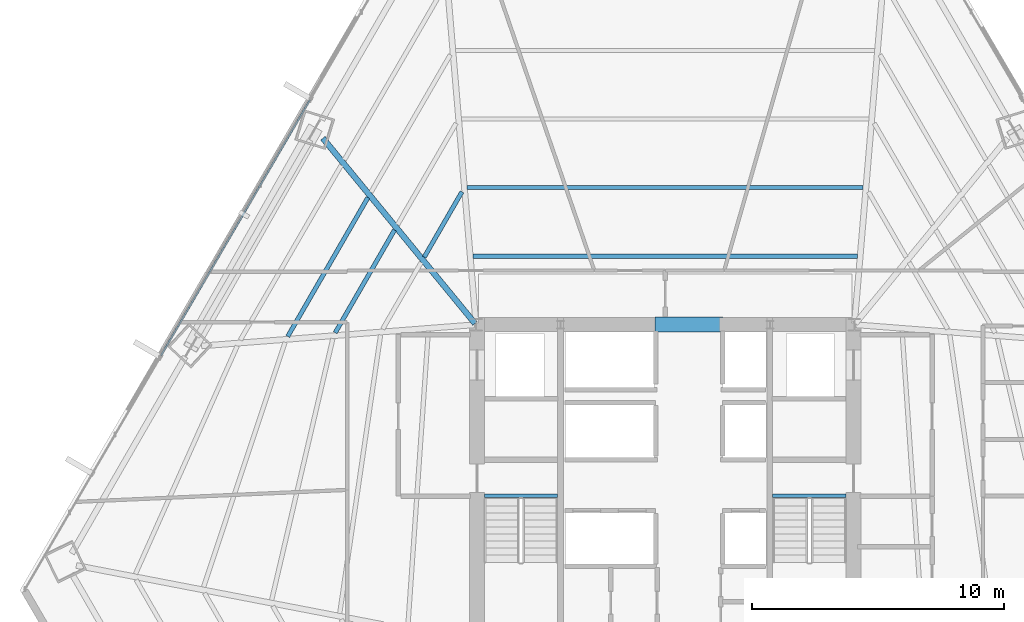
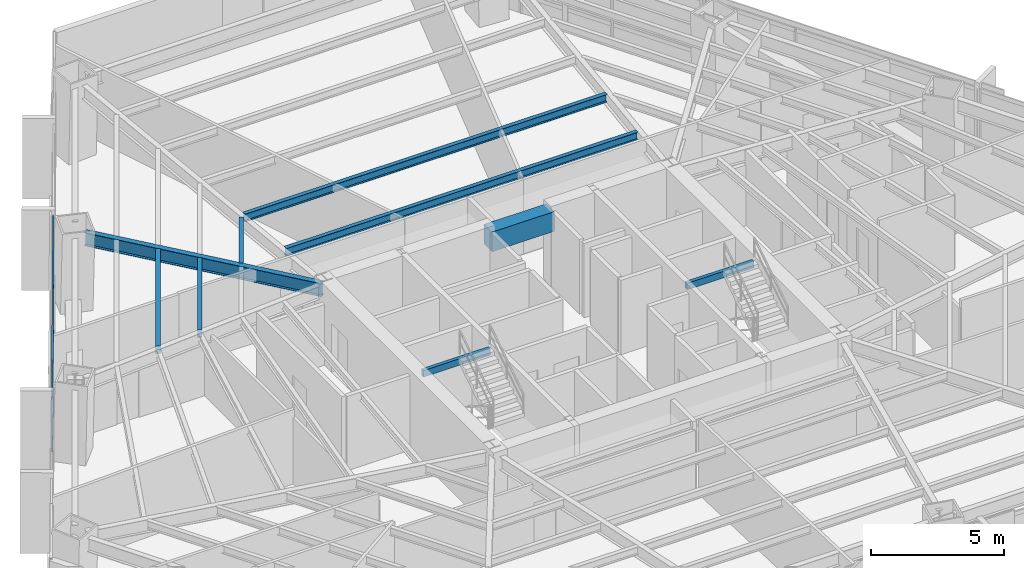
# One storey, part 11 of 33: 9 beams, 2 members, 1 element without a shape of its own.
"""IFC4 building model written with IfcOpenShell, lengths in metres."""

from ifc_helpers import new_model, si_unit, direction, frame, origin, origin_2d, place, context, subcontext, project, spatial, rectangle, hollow_rectangle, i_section, extrude, source, transform, mapped, material, material_profile, profile_set, type_object, type_shapes, element, aggregate, save


model = new_model("IFC4")

# Units and contexts
model_context = context("Model", 3, precision=1e-05, world=origin(), true_north=direction((0.0, 1.0)))
body_context = subcontext(model_context, "Body", "Model", "MODEL_VIEW")
ifc_project = project(units=[si_unit("LENGTHUNIT", "METRE"), si_unit("AREAUNIT", "SQUARE_METRE"), si_unit("VOLUMEUNIT", "CUBIC_METRE"), si_unit("PLANEANGLEUNIT", "RADIAN"), si_unit("MASSUNIT", "GRAM", prefix="KILO")], contexts=[model_context])

# Site, building, storey
site_placement = place(None, origin())
site = spatial("IfcSite", under=ifc_project, at=site_placement, CompositionType="ELEMENT")
building_placement = place(site_placement, origin())
building = spatial("IfcBuilding", under=site, at=building_placement, Name="Caelisora Broadcast Tower", CompositionType="ELEMENT")
storey_placement = place(building_placement, frame((0.0, 0.0, 42.199951171875)))
storey = spatial("IfcBuildingStorey", under=building, at=storey_placement, Name="L10", CompositionType="ELEMENT", Elevation=42.199951171875)

# Beams
ifc_material_1 = material(Name="Steel Grade 350 (AS/NZS 1163 C350L0)", Category="steel")
ifc_material_profile_1 = material_profile(ifc_material_1, hollow_rectangle(XDim=0.14990234375, YDim=0.300048828125, WallThickness=0.010009765625, at=origin_2d()), Name="Steel Grade 350 (AS/NZS 1163 C350L0)")
ifc_profile_set_1 = profile_set([ifc_material_profile_1], Name="Steel Grade 350 (AS/NZS 1163 C350L0)")
beam_type_1 = type_object("IfcBeamType", Name="SB05", PredefinedType="JOIST", material=ifc_profile_set_1)
shared_shape_1 = source(origin(), body_context, "Body", "SweptSolid", [
    extrude(hollow_rectangle(XDim=0.14990234375, YDim=0.300048828125, WallThickness=0.010009765625, at=origin_2d()), origin(), (0.0, 0.0, 1.0), 2.89990234375),
])
type_shapes(beam_type_1, [shared_shape_1])
for number, where, z_axis, x_axis, name in (
    (1, (30.840087890625, 23.219970703125, 3.25), (1.0, 0.0, 0.0), (0.0, 1.0, 0.0), "L10 beam SB05"),
    (2, (42.260009765625, 23.219970703125, 3.25), (1.0, 0.0, 0.0), (0.0, 1.0, 0.0), "L10 beam SB05"),
):
    element("IfcBeam", number, at=place(storey_placement, frame(where, z_axis=z_axis, x_axis=x_axis)), inside=storey, type_object=beam_type_1, Name=name, PredefinedType="JOIST", context=body_context, shape_type="MappedRepresentation", body=[
        mapped(shared_shape_1, transform((0.0, 0.0, 0.0), scale=1.0)),
    ])
ifc_material_2 = material(Name="Concrete 50 MPa (AS 3600 S50)", Category="concrete")
ifc_material_profile_2 = material_profile(ifc_material_2, rectangle(XDim=0.60009765625, YDim=0.89990234375, at=origin_2d()), Name="Concrete 50 MPa (AS 3600 S50)")
ifc_profile_set_2 = profile_set([ifc_material_profile_2], Name="Concrete 50 MPa (AS 3600 S50)")
beam_type_2 = type_object("IfcBeamType", Name="CB02", PredefinedType="LINTEL", material=ifc_profile_set_2)
shared_shape_2 = source(origin(), body_context, "Body", "SweptSolid", [
    extrude(rectangle(XDim=0.60009765625, YDim=0.89990234375, at=origin_2d()), origin(), (0.0, 0.0, 1.0), 2.699951171875),
])
type_shapes(beam_type_2, [shared_shape_2])
beam_1_placement = place(storey_placement, frame((37.60009765625, 30.0, 2.949951171875), z_axis=(1.0, 0.0, 0.0), x_axis=(0.0, 1.0, 0.0)))
element("IfcBeam", 3, at=beam_1_placement, inside=storey, type_object=beam_type_2, Name="L10 beam CB02", PredefinedType="LINTEL", context=body_context, shape_type="MappedRepresentation", body=[
    mapped(shared_shape_2, transform((0.0, 0.0, 0.0), scale=1.0)),
])
ifc_material_3 = material(Name="Steel Grade 350 (AS/NZS 3679.1)", Category="steel")
ifc_material_profile_3 = material_profile(ifc_material_3, i_section(OverallWidth=0.22802734375, OverallDepth=0.602294921875, WebThickness=0.010498046875, FlangeThickness=0.014892578125, at=origin_2d()), Name="Steel Grade 350 (AS/NZS 3679.1)")
ifc_profile_set_3 = profile_set([ifc_material_profile_3], Name="Steel Grade 350 (AS/NZS 3679.1)")
beam_type_3 = type_object("IfcBeamType", Name="PG04", PredefinedType="BEAM", material=ifc_profile_set_3)
shared_shape_3 = source(origin(), body_context, "Body", "SweptSolid", [
    extrude(i_section(OverallWidth=0.22802734375, OverallDepth=0.602294921875, WebThickness=0.010498046875, FlangeThickness=0.014892578125, at=origin_2d()), origin(), (0.0, 0.0, 1.0), 9.501953125),
])
type_shapes(beam_type_3, [shared_shape_3])
beam_2_placement = place(storey_placement, frame((30.4619140625, 30.04638671875, 3.098876953125), z_axis=(-0.634633120401, 0.772813562568, 0.0), x_axis=(-0.772813562568, -0.634633120401, 0.0)))
element("IfcBeam", 4, at=beam_2_placement, inside=storey, type_object=beam_type_3, Name="L10 beam PG04", PredefinedType="BEAM", context=body_context, shape_type="MappedRepresentation", body=[
    mapped(shared_shape_3, transform((0.0, 0.0, 0.0), scale=1.0)),
])
ifc_material_profile_4 = material_profile(ifc_material_3, i_section(OverallWidth=0.172119140625, OverallDepth=0.358642578125, WebThickness=0.008056640625, FlangeThickness=0.012939453125, at=origin_2d()), Name="Steel Grade 350 (AS/NZS 3679.1)")
ifc_profile_set_4 = profile_set([ifc_material_profile_4], Name="Steel Grade 350 (AS/NZS 3679.1)")
beam_type_4 = type_object("IfcBeamType", Name="SB02", PredefinedType="JOIST", material=ifc_profile_set_4)
shared_shape_4 = source(origin(), body_context, "Body", "SweptSolid", [
    extrude(i_section(OverallWidth=0.172119140625, OverallDepth=0.358642578125, WebThickness=0.008056640625, FlangeThickness=0.012939453125, at=origin_2d()), origin(), (0.0, 0.0, 1.0), 15.23583984375),
])
beam_3_placement = place(storey_placement, frame((45.617919921875, 32.71728515625, 3.220703125), z_axis=(-1.0, 0.0, 0.0), x_axis=(0.0, -1.0, 0.0)))
element("IfcBeam", 5, at=beam_3_placement, inside=storey, type_object=beam_type_4, Name="L10 beam SB02", PredefinedType="JOIST", context=body_context, shape_type="MappedRepresentation", body=[
    mapped(shared_shape_4, transform((0.0, 0.0, 0.0), scale=1.0)),
])
shared_shape_5 = source(origin(), body_context, "Body", "SweptSolid", [
    extrude(i_section(OverallWidth=0.172119140625, OverallDepth=0.358642578125, WebThickness=0.008056640625, FlangeThickness=0.012939453125, at=origin_2d()), origin(), (0.0, 0.0, 1.0), 15.6943359375),
])
beam_4_placement = place(storey_placement, frame((45.84716796875, 35.434814453125, 3.220703125), z_axis=(-1.0, 0.0, 0.0), x_axis=(0.0, -1.0, 0.0)))
element("IfcBeam", 6, at=beam_4_placement, inside=storey, type_object=beam_type_4, Name="L10 beam SB02", PredefinedType="JOIST", context=body_context, shape_type="MappedRepresentation", body=[
    mapped(shared_shape_5, transform((0.0, 0.0, 0.0), scale=1.0)),
])
shared_shape_6 = source(origin(), body_context, "Body", "SweptSolid", [
    extrude(i_section(OverallWidth=0.172119140625, OverallDepth=0.358642578125, WebThickness=0.008056640625, FlangeThickness=0.012939453125, at=origin_2d()), origin(), (0.0, 0.0, 1.0), 2.99072265625),
])
beam_5_placement = place(storey_placement, frame((29.943115234375, 35.264404296875, 3.220703125), z_axis=(-0.499993326248, -0.866029256843, 0.0), x_axis=(0.866029256843, -0.499993326248, 0.0)))
element("IfcBeam", 7, at=beam_5_placement, inside=storey, type_object=beam_type_4, Name="L10 beam SB02", PredefinedType="JOIST", context=body_context, shape_type="MappedRepresentation", body=[
    mapped(shared_shape_6, transform((0.0, 0.0, 0.0), scale=1.0)),
])
shared_shape_7 = source(origin(), body_context, "Body", "SweptSolid", [
    extrude(i_section(OverallWidth=0.172119140625, OverallDepth=0.358642578125, WebThickness=0.008056640625, FlangeThickness=0.012939453125, at=origin_2d()), origin(), (0.0, 0.0, 1.0), 4.705322265625),
])
beam_6_placement = place(storey_placement, frame((27.273193359375, 33.754150390625, 3.220703125), z_axis=(-0.500017381053, -0.866015368596, 0.0), x_axis=(0.866015368596, -0.500017381053, 0.0)))
element("IfcBeam", 8, at=beam_6_placement, inside=storey, type_object=beam_type_4, Name="L10 beam SB02", PredefinedType="JOIST", context=body_context, shape_type="MappedRepresentation", body=[
    mapped(shared_shape_7, transform((0.0, 0.0, 0.0), scale=1.0)),
])
shared_shape_8 = source(origin(), body_context, "Body", "SweptSolid", [
    extrude(i_section(OverallWidth=0.172119140625, OverallDepth=0.358642578125, WebThickness=0.008056640625, FlangeThickness=0.012939453125, at=origin_2d()), origin(), (0.0, 0.0, 1.0), 6.3583984375),
])
type_shapes(beam_type_4, [shared_shape_4, shared_shape_5, shared_shape_6, shared_shape_7, shared_shape_8])
beam_7_placement = place(storey_placement, frame((26.21728515625, 35.039794921875, 3.220703125), z_axis=(-0.499996103113, -0.866027653641, 0.0), x_axis=(0.866027653641, -0.499996103113, 0.0)))
element("IfcBeam", 9, at=beam_7_placement, inside=storey, type_object=beam_type_4, Name="L10 beam SB02", PredefinedType="JOIST", context=body_context, shape_type="MappedRepresentation", body=[
    mapped(shared_shape_8, transform((0.0, 0.0, 0.0), scale=1.0)),
])

# Curtain wall, members
ifc_material_4 = material(Name="Unitised Aluminium Insulated Shadow-Box Spandrel Curtain Wall", Category="aluminium")
curtain_wall_type = type_object("IfcCurtainWallType", Name="CW-SP1", PredefinedType="NOTDEFINED", material=ifc_material_4)
curtain_wall_placement = place(storey_placement, origin())
curtain_wall = element("IfcCurtainWall", 10, at=curtain_wall_placement, inside=storey, type_object=curtain_wall_type, Name="L10 curtain wall CW-SP1", PredefinedType="NOTDEFINED")
ifc_material_5 = material(Name="Aluminium 6063-T6 Anodised Terracotta Bronze", Category="aluminium")
ifc_material_profile_5 = material_profile(ifc_material_5, hollow_rectangle(XDim=0.06494140625, YDim=0.179931640625, WallThickness=0.00341796875, at=origin_2d()), Name="Aluminium 6063-T6 Anodised Terracotta Bronze")
ifc_profile_set_5 = profile_set([ifc_material_profile_5], Name="Aluminium 6063-T6 Anodised Terracotta Bronze")
member_type = type_object("IfcMemberType", Name="CWT-01", PredefinedType="USERDEFINED", material=ifc_profile_set_5)
shared_shape_9 = source(origin(), body_context, "Body", "SweptSolid", [
    extrude(hollow_rectangle(XDim=0.06494140625, YDim=0.179931640625, WallThickness=0.00341796875, at=origin_2d()), origin(), (0.0, 0.0, 1.0), 11.72607421875),
])
type_shapes(member_type, [shared_shape_9])
member_1_placement = place(storey_placement, frame((18.014404296875, 28.772216796875, 0.85009765625), z_axis=(0.503294842649, 0.864114750113, 0.0), x_axis=(-0.864114750113, 0.503294842649, 0.0)))
member_1 = element("IfcMember", 11, at=member_1_placement, type_object=member_type, Name="L10-CW-B10 transom #1", ObjectType="TRANSOM", PredefinedType="USERDEFINED", context=body_context, shape_type="MappedRepresentation", body=[
    mapped(shared_shape_9, transform((0.0, 0.0, 0.0), scale=1.0)),
])
member_2_placement = place(storey_placement, frame((18.014404296875, 28.772216796875, 3.320068359375), z_axis=(0.503294842649, 0.864114750113, 0.0), x_axis=(-0.864114750113, 0.503294842649, 0.0)))
member_2 = element("IfcMember", 12, at=member_2_placement, type_object=member_type, Name="L10-CW-B10 transom #2", ObjectType="TRANSOM", PredefinedType="USERDEFINED", context=body_context, shape_type="MappedRepresentation", body=[
    mapped(shared_shape_9, transform((0.0, 0.0, 0.0), scale=1.0)),
])
aggregate(curtain_wall, [member_1, member_2])

save(model, "model.ifc")
